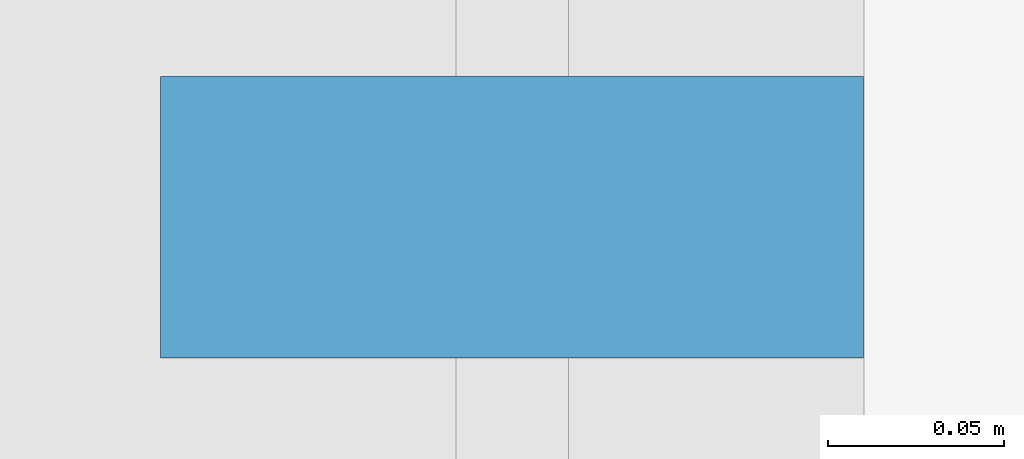
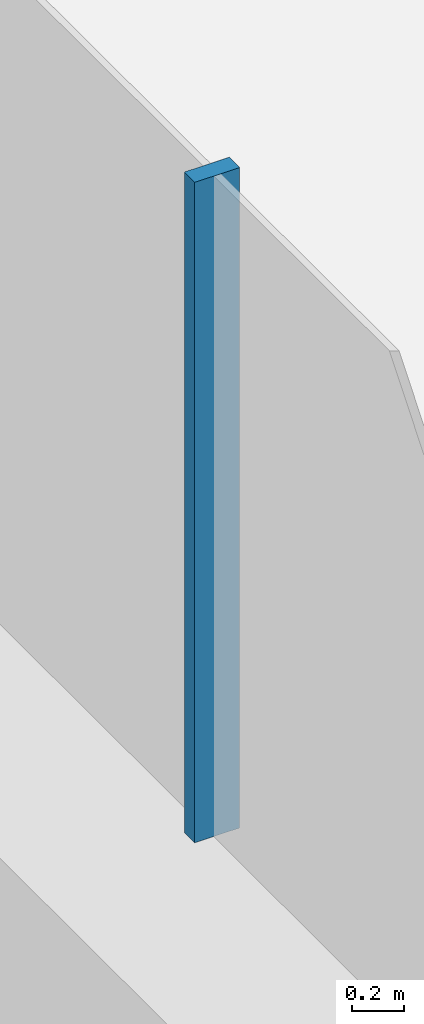
# One storey, part 6 of 44: 1 member, 1 element without a shape of its own.
"""IFC4 building model written with IfcOpenShell, lengths in metres."""

from ifc_helpers import new_model, si_unit, direction, frame, origin, origin_2d, place, context, subcontext, project, spatial, rectangle, extrude, material, layer, layer_set, material_profile, profile_set, type_object, element, aggregate, save


model = new_model("IFC4")

# Units and contexts
model_context = context("Model", 3, precision=1e-05, world=origin(), true_north=direction((0.0, 1.0)))
body_context = subcontext(model_context, "Body", "Model", "MODEL_VIEW")
ifc_project = project(units=[si_unit("LENGTHUNIT", "METRE"), si_unit("AREAUNIT", "SQUARE_METRE"), si_unit("VOLUMEUNIT", "CUBIC_METRE"), si_unit("PLANEANGLEUNIT", "RADIAN"), si_unit("MASSUNIT", "GRAM", prefix="KILO")], contexts=[model_context])

# Site, building, storey
site_placement = place(None, origin())
site = spatial("IfcSite", under=ifc_project, at=site_placement, CompositionType="ELEMENT")
building_placement = place(site_placement, origin())
building = spatial("IfcBuilding", under=site, at=building_placement, Name="Tamarind Cross Interchange Tower", CompositionType="ELEMENT")
storey_placement = place(building_placement, frame((0.0, 0.0, 15.0)))
storey = spatial("IfcBuildingStorey", under=building, at=storey_placement, Name="L02", CompositionType="ELEMENT", Elevation=15.0)

# Curtain wall, member
ifc_material = material(Name="Aluminium 6063-T6", Category="aluminium")
ifc_layer = layer(ifc_material, 0.199951171875)
ifc_layer_set = layer_set([ifc_layer], Name="Aluminium 6063-T6")
curtain_wall_type = type_object("IfcCurtainWallType", Name="Podium shopfront and station curtain wall", PredefinedType="NOTDEFINED", material=ifc_layer_set)
curtain_wall_placement = place(storey_placement, origin())
curtain_wall = element("IfcCurtainWall", 1, at=curtain_wall_placement, inside=storey, type_object=curtain_wall_type, Name="CWS-L02-04", PredefinedType="NOTDEFINED")
ifc_material_profile = material_profile(ifc_material, rectangle(XDim=0.080078125, YDim=0.199951171875, at=origin_2d()), Name="Mullion CW3")
ifc_profile_set = profile_set([ifc_material_profile], Name="Aluminium 6063-T6")
member_type = type_object("IfcMemberType", Name="Mullion CW3", PredefinedType="MULLION", material=ifc_profile_set)
member_placement = place(storey_placement, frame((-65.800048828125, 2.26025390625, 1.39990234375), z_axis=(0.0, 0.0, 1.0), x_axis=(0.0, -1.0, 0.0)))
member = element("IfcMember", 2, at=member_placement, type_object=member_type, Name="CWM-L02-04-11", PredefinedType="MULLION", context=body_context, shape_type="SweptSolid", body=[
    extrude(rectangle(XDim=0.080078125, YDim=0.199951171875, at=origin_2d()), origin(), (0.0, 0.0, 1.0), 3.10009765625),
])
aggregate(curtain_wall, [member])

save(model, "model.ifc")
